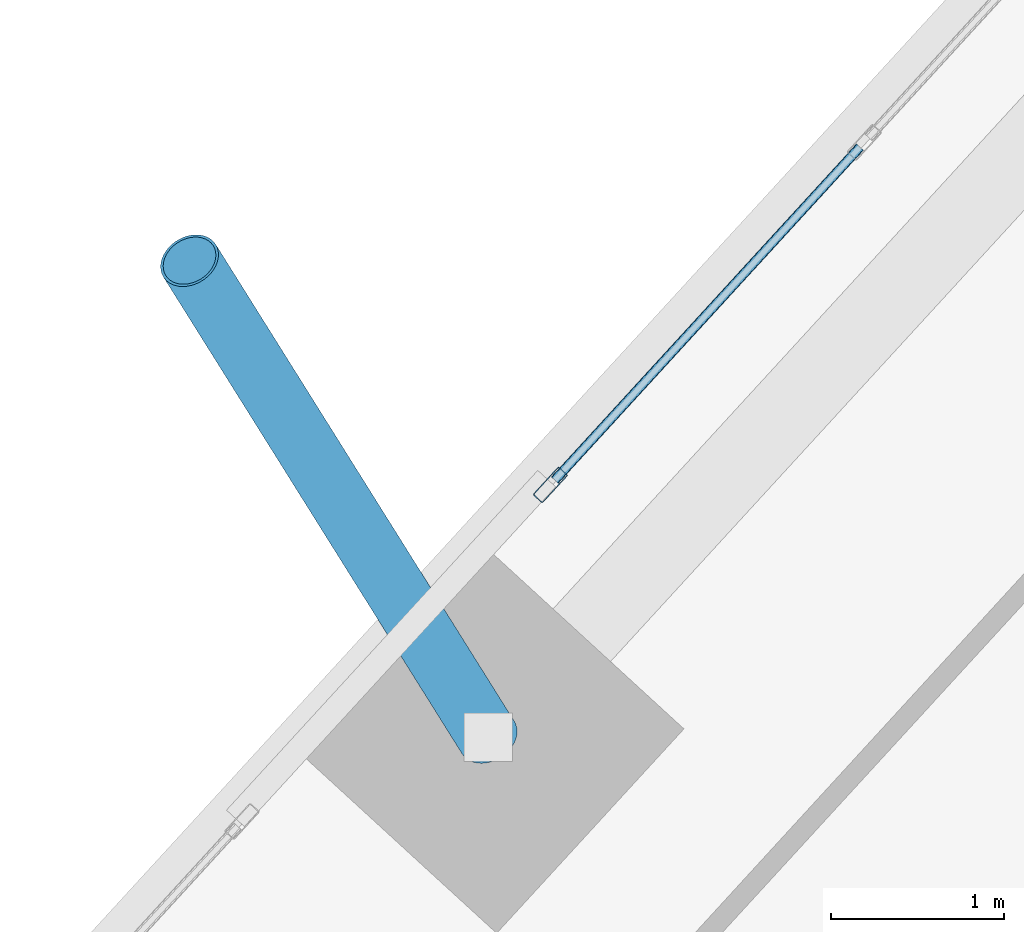
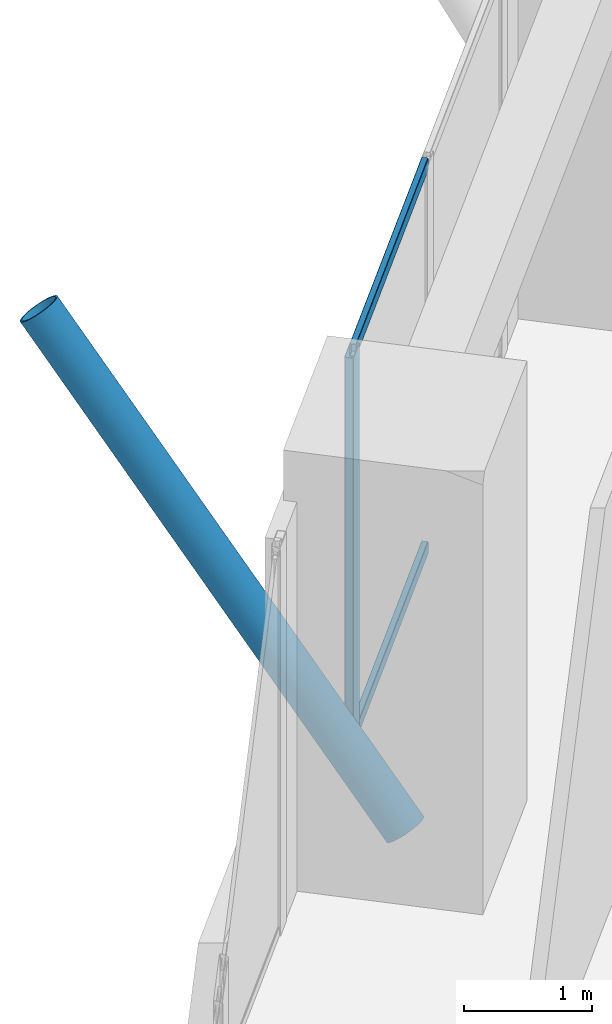
# One storey, part 5 of 18: 4 members, 1 element without a shape of its own.
"""IFC4 building model written with IfcOpenShell, lengths in metres."""

from ifc_helpers import new_model, si_unit, direction, frame, origin, origin_2d, place, context, subcontext, project, spatial, hollow_rectangle, hollow_circle, extrude, source, transform, mapped, material, material_profile, profile_set, type_object, element, aggregate, save


model = new_model("IFC4")

# Units and contexts
model_context = context("Model", 3, precision=1e-05, world=origin(), true_north=direction((0.0, 1.0)))
body_context = subcontext(model_context, "Body", "Model", "MODEL_VIEW")
ifc_project = project(units=[si_unit("LENGTHUNIT", "METRE"), si_unit("AREAUNIT", "SQUARE_METRE"), si_unit("VOLUMEUNIT", "CUBIC_METRE"), si_unit("PLANEANGLEUNIT", "RADIAN"), si_unit("MASSUNIT", "GRAM", prefix="KILO")], contexts=[model_context])

# Site, building, storey
site_placement = place(None, origin())
site = spatial("IfcSite", under=ifc_project, at=site_placement, CompositionType="ELEMENT")
building_placement = place(site_placement, origin())
building = spatial("IfcBuilding", under=site, at=building_placement, Name="Torre Montelarca", CompositionType="ELEMENT")
storey_placement = place(building_placement, frame((0.0, 0.0, 237.39990234375)))
storey = spatial("IfcBuildingStorey", under=building, at=storey_placement, Name="L53", CompositionType="ELEMENT", Elevation=237.39990234375)

# Member
ifc_material_1 = material(Name="Steel ASTM A500 Grade C", Category="steel")
ifc_material_profile_1 = material_profile(ifc_material_1, hollow_circle(Radius=0.177734375, WallThickness=0.015869140625, at=origin_2d()), Name="HSS355.6X15.9", Category="steel")
ifc_profile_set_1 = profile_set([ifc_material_profile_1], Name="Steel ASTM A500 Grade C")
member_type_1 = type_object("IfcMemberType", Name="MB-BR-CHS356-EXT", PredefinedType="BRACE", material=ifc_profile_set_1)
shared_shape_1 = source(origin(), body_context, "Body", "SweptSolid", [
    extrude(hollow_circle(Radius=0.177734375, WallThickness=0.015869140625, at=origin_2d()), origin(), (0.0, 0.0, 1.0), 5.08251953125),
])
member_1_placement = place(storey_placement, frame((3.672119140625, 37.485595703125, 0.150146484375), z_axis=(-0.339123640759, 0.541493031484, 0.76927267801), x_axis=(-0.847512229776, -0.530775866426, 0.0)))
element("IfcMember", 1, at=member_1_placement, inside=storey, type_object=member_type_1, Name="L54 Sliding Tray Exterior Diagonal Raker Strut W1", PredefinedType="BRACE", context=body_context, shape_type="MappedRepresentation", body=[
    mapped(shared_shape_1, transform((0.0, 0.0, 0.0), scale=1.0)),
])

# Curtain wall, members
ifc_material_2 = material(Name="Insulated low-E laminated glass", Category="glass")
curtain_wall_type = type_object("IfcCurtainWallType", Name="CW-SYS-Z3", PredefinedType="USERDEFINED", material=ifc_material_2)
curtain_wall_placement = place(storey_placement, origin())
curtain_wall = element("IfcCurtainWall", 2, at=curtain_wall_placement, inside=storey, type_object=curtain_wall_type, Name="L53 Curtain Wall Run CW-T3-L53-E10-B2", ObjectType="UNITISED GLAZING", PredefinedType="USERDEFINED")
ifc_material_3 = material(Name="Anodised aluminium AA 6063-T6", Category="aluminium")
ifc_material_profile_2 = material_profile(ifc_material_3, hollow_rectangle(XDim=0.054931640625, YDim=0.1201171875, WallThickness=0.00341796875, InnerFilletRadius=0.00341796875, OuterFilletRadius=0.007080078125, at=origin_2d()), Name="ALU55X120X3.5", Category="aluminium")
ifc_profile_set_2 = profile_set([ifc_material_profile_2], Name="Anodised aluminium AA 6063-T6")
member_type_2 = type_object("IfcMemberType", Name="CWT-ALU120", PredefinedType="USERDEFINED", material=ifc_profile_set_2)
shared_shape_2 = source(origin(), body_context, "Body", "SweptSolid", [
    extrude(hollow_rectangle(XDim=0.054931640625, YDim=0.1201171875, WallThickness=0.00341796875, InnerFilletRadius=0.00341796875, OuterFilletRadius=0.007080078125, at=origin_2d()), origin(), (0.0, 0.0, 1.0), 2.607421875),
])
member_2_placement = place(storey_placement, frame((5.818359375, 40.893310546875, 0.027587890625), z_axis=(-0.675580452191, -0.737286275891, 0.0), x_axis=(0.737286275891, -0.675580452191, 0.0)))
member_2 = element("IfcMember", 3, at=member_2_placement, type_object=member_type_2, Name="CW transom 2.1", ObjectType="TRANSOM", PredefinedType="USERDEFINED", context=body_context, shape_type="MappedRepresentation", body=[
    mapped(shared_shape_2, transform((0.0, 0.0, 0.0), scale=1.0)),
])
member_3_placement = place(storey_placement, frame((5.818359375, 40.893310546875, 3.692626953125), z_axis=(-0.675580452191, -0.737286275891, 0.0), x_axis=(0.737286275891, -0.675580452191, 0.0)))
member_3 = element("IfcMember", 4, at=member_3_placement, type_object=member_type_2, Name="CW transom 2.2", ObjectType="TRANSOM", PredefinedType="USERDEFINED", context=body_context, shape_type="MappedRepresentation", body=[
    mapped(shared_shape_2, transform((0.0, 0.0, 0.0), scale=1.0)),
])
ifc_material_profile_3 = material_profile(ifc_material_3, hollow_rectangle(XDim=0.074951171875, YDim=0.219970703125, WallThickness=0.0048828125, InnerFilletRadius=0.0048828125, OuterFilletRadius=0.010009765625, at=origin_2d()), Name="ALU75X220X5", Category="aluminium")
ifc_profile_set_3 = profile_set([ifc_material_profile_3], Name="Anodised aluminium AA 6063-T6")
member_type_3 = type_object("IfcMemberType", Name="CWM-ALU220", PredefinedType="MULLION", material=ifc_profile_set_3)
shared_shape_3 = source(origin(), body_context, "Body", "SweptSolid", [
    extrude(hollow_rectangle(XDim=0.074951171875, YDim=0.219970703125, WallThickness=0.0048828125, InnerFilletRadius=0.0048828125, OuterFilletRadius=0.010009765625, at=origin_2d()), origin(), (0.0, 0.0, 1.0), 3.72021484375),
])
member_4_placement = place(storey_placement, frame((4.031494140625, 38.943359375, 0.0), z_axis=(0.0, 0.0, 1.0), x_axis=(0.737279266272, -0.675588101971, 0.0)))
member_4 = element("IfcMember", 5, at=member_4_placement, type_object=member_type_3, Name="CW mullion 3", PredefinedType="MULLION", context=body_context, shape_type="MappedRepresentation", body=[
    mapped(shared_shape_3, transform((0.0, 0.0, 0.0), scale=1.0)),
])
aggregate(curtain_wall, [member_4, member_2, member_3])

save(model, "model.ifc")
